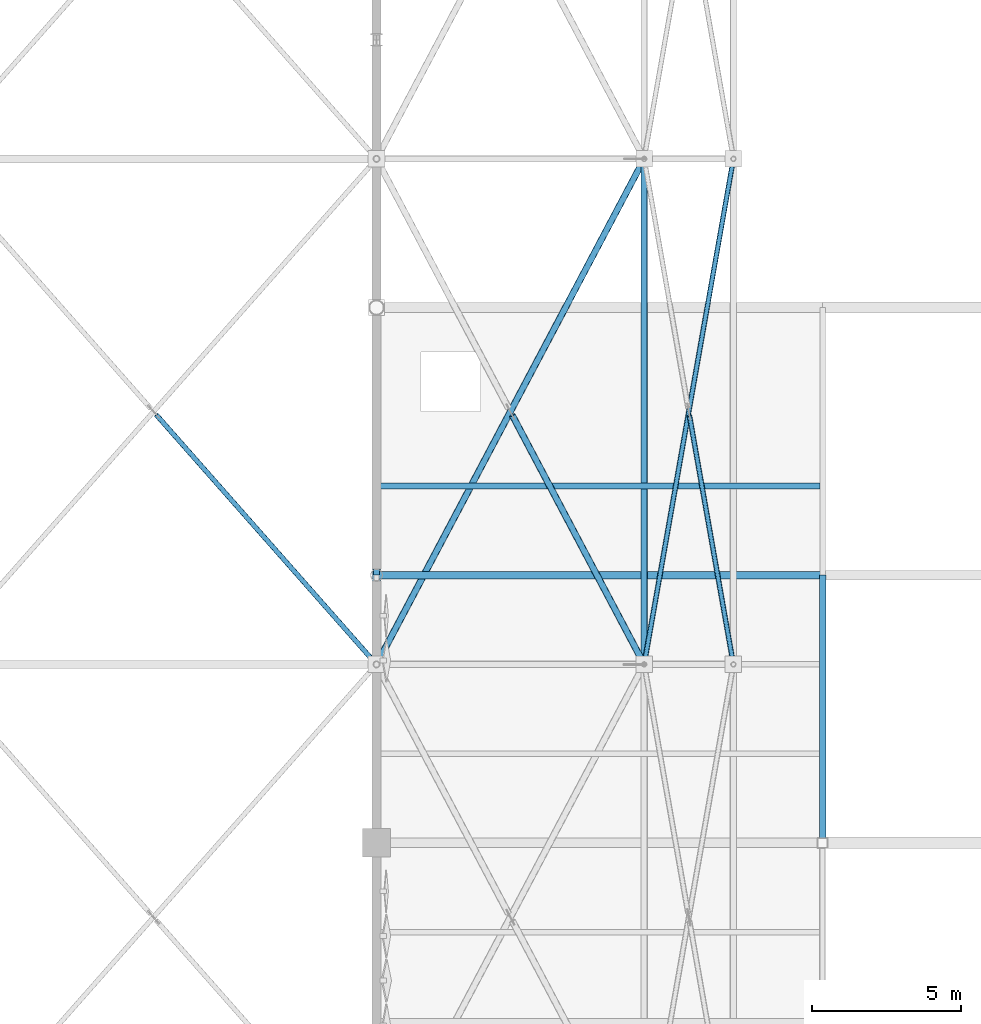
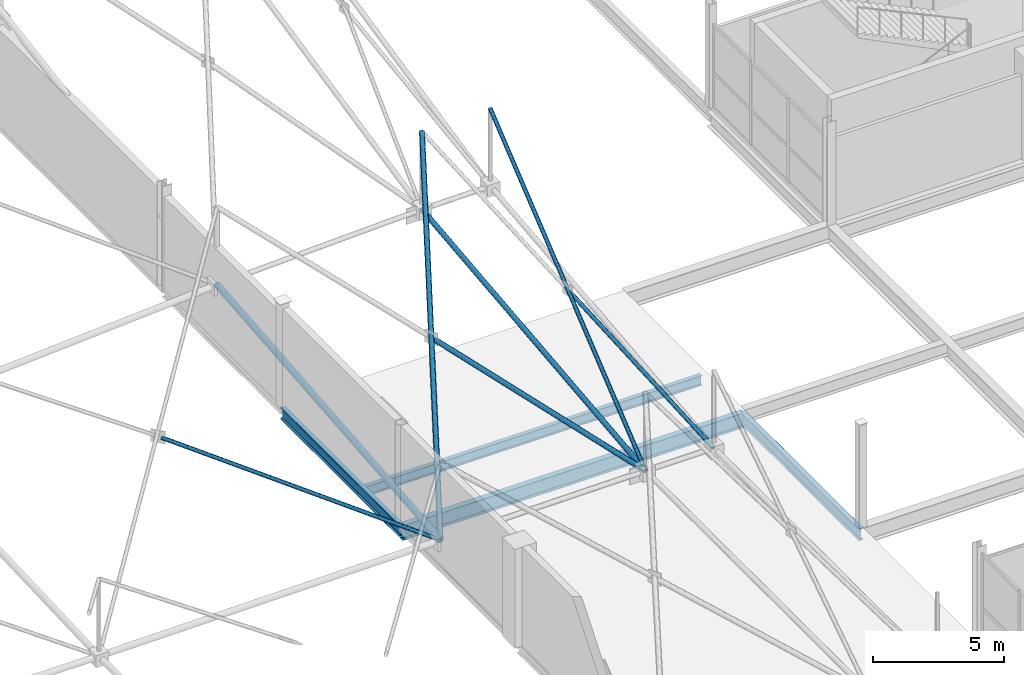
# One storey, part 143 of 224: 7 members, 4 beams.
"""IFC4 building model written with IfcOpenShell, lengths in metres."""

from ifc_helpers import new_model, si_unit, direction, frame, origin, origin_2d, place, context, subcontext, project, spatial, hollow_circle, i_section, extrude, material, material_profile, profile_set, type_object, element, save


model = new_model("IFC4")

# Units and contexts
model_context = context("Model", 3, precision=1e-05, world=origin(), true_north=direction((0.0, 1.0)))
body_context = subcontext(model_context, "Body", "Model", "MODEL_VIEW")
ifc_project = project(units=[si_unit("LENGTHUNIT", "METRE"), si_unit("AREAUNIT", "SQUARE_METRE"), si_unit("VOLUMEUNIT", "CUBIC_METRE"), si_unit("PLANEANGLEUNIT", "RADIAN"), si_unit("MASSUNIT", "GRAM", prefix="KILO")], contexts=[model_context])

# Site, building, storey
site_placement = place(None, origin())
site = spatial("IfcSite", under=ifc_project, at=site_placement, CompositionType="ELEMENT")
building_placement = place(site_placement, origin())
building = spatial("IfcBuilding", under=site, at=building_placement, Name="Qamarlyn Nura Convention Centre", CompositionType="ELEMENT")
storey_placement = place(building_placement, frame((0.0, 0.0, 10.800048828125)))
storey = spatial("IfcBuildingStorey", under=building, at=storey_placement, Name="L02", CompositionType="ELEMENT", Elevation=10.800048828125)

# Beams
ifc_material_1 = material(Name="Steel ASTM A992", Category="steel")
ifc_material_profile_1 = material_profile(ifc_material_1, i_section(OverallWidth=0.25390625, OverallDepth=0.68408203125, WebThickness=0.012451171875, FlangeThickness=0.01904296875, FilletRadius=0.01806640625, at=origin_2d()), Name="W690X140")
ifc_profile_set_1 = profile_set([ifc_material_profile_1], Name="Steel ASTM A992")
beam_type_1 = type_object("IfcBeamType", Name="BM-GIRD-690B", PredefinedType="BEAM", material=ifc_profile_set_1)
beam_1_placement = place(storey_placement, frame((120.0, 72.0, -0.487060546875), z_axis=(1.0, 0.0, 0.0), x_axis=(0.0, 1.0, 0.0)))
element("IfcBeam", 1, at=beam_1_placement, inside=storey, type_object=beam_type_1, Name="L02 girder J 9-11", PredefinedType="BEAM", context=body_context, shape_type="SweptSolid", body=[
    extrude(i_section(OverallWidth=0.25390625, OverallDepth=0.68408203125, WebThickness=0.012451171875, FlangeThickness=0.01904296875, FilletRadius=0.01806640625, at=origin_2d()), origin(), (0.0, 0.0, 1.0), 15.0),
])
ifc_material_profile_2 = material_profile(ifc_material_1, i_section(OverallWidth=0.18994140625, OverallDepth=0.45703125, WebThickness=0.009033203125, FlangeThickness=0.014404296875, FilletRadius=0.012939453125, at=origin_2d()), Name="W460X74")
ifc_profile_set_2 = profile_set([ifc_material_profile_2], Name="Steel ASTM A992")
beam_type_2 = type_object("IfcBeamType", Name="BM-JOIST-460", PredefinedType="JOIST", material=ifc_profile_set_2)
beam_2_placement = place(storey_placement, frame((120.10546875, 75.0, -0.448486328125), z_axis=(1.0, 0.0, 0.0), x_axis=(0.0, 1.0, 0.0)))
element("IfcBeam", 2, at=beam_2_placement, inside=storey, type_object=beam_type_2, Name="L02 composite joist 9-11/J+1", PredefinedType="JOIST", context=body_context, shape_type="SweptSolid", body=[
    extrude(i_section(OverallWidth=0.18994140625, OverallDepth=0.45703125, WebThickness=0.009033203125, FlangeThickness=0.014404296875, FilletRadius=0.012939453125, at=origin_2d()), origin(), (0.0, 0.0, 1.0), 14.798095703125),
])
ifc_material_profile_3 = material_profile(ifc_material_1, i_section(OverallWidth=0.2109375, OverallDepth=0.5390625, WebThickness=0.01171875, FlangeThickness=0.018798828125, FilletRadius=0.013916015625, at=origin_2d()), Name="W530X109")
ifc_profile_set_3 = profile_set([ifc_material_profile_3], Name="Steel ASTM A992")
beam_type_3 = type_object("IfcBeamType", Name="BM-SPAN-530", PredefinedType="SPANDREL", material=ifc_profile_set_3)
for number, where, z_axis, x_axis, name in (
    (3, (120.0, 72.0, -0.41455078125), (0.0, 1.0, 0.0), (-1.0, 0.0, 0.0), "L02 girder 9 J-K"),
    (4, (135.0, 63.0, -0.41455078125), (0.0, 1.0, 0.0), (-1.0, 0.0, 0.0), "L02 girder 11 H-J"),
):
    element("IfcBeam", number, at=place(storey_placement, frame(where, z_axis=z_axis, x_axis=x_axis)), inside=storey, type_object=beam_type_3, Name=name, PredefinedType="SPANDREL", context=body_context, shape_type="SweptSolid", body=[
        extrude(i_section(OverallWidth=0.2109375, OverallDepth=0.5390625, WebThickness=0.01171875, FlangeThickness=0.018798828125, FilletRadius=0.013916015625, at=origin_2d()), origin(), (0.0, 0.0, 1.0), 9.0),
    ])

# Members
ifc_material_2 = material(Name="Pearl-white PVDF steel ASTM A500 Grade C", Category="steel")
ifc_material_profile_4 = material_profile(ifc_material_2, hollow_circle(Radius=0.109619140625, WallThickness=0.010009765625, at=origin_2d()), Name="CHS219.1X10")
ifc_profile_set_4 = profile_set([ifc_material_profile_4], Name="Pearl-white PVDF steel ASTM A500 Grade C")
member_type_1 = type_object("IfcMemberType", Name="SF-BC-EAVE", PredefinedType="CHORD", material=ifc_profile_set_4)
member_1_placement = place(storey_placement, frame((129.0, 69.0, 1.005615234375), z_axis=(0.0, 0.994278213188, 0.106821508974), x_axis=(-1.0, 0.0, 0.0)))
element("IfcMember", 5, at=member_1_placement, inside=storey, type_object=member_type_1, Name="ROOF TRUSS space frame bottom chord Y11-5", PredefinedType="CHORD", context=body_context, shape_type="SweptSolid", body=[
    extrude(hollow_circle(Radius=0.109619140625, WallThickness=0.010009765625, at=origin_2d()), origin(), (0.0, 0.0, 1.0), 17.097900390625),
])
ifc_material_profile_5 = material_profile(ifc_material_2, hollow_circle(Radius=0.136474609375, WallThickness=0.012451171875, at=origin_2d()), Name="CHS273X12.5")
ifc_profile_set_5 = profile_set([ifc_material_profile_5], Name="Pearl-white PVDF steel ASTM A500 Grade C")
member_type_2 = type_object("IfcMemberType", Name="SF-BC-MAIN", PredefinedType="CHORD", material=ifc_profile_set_5)
member_2_placement = place(storey_placement, frame((120.0, 69.0, 0.937255859375), z_axis=(0.0, 0.995888281299, 0.090589906562), x_axis=(-1.0, 0.0, 0.0)))
element("IfcMember", 6, at=member_2_placement, inside=storey, type_object=member_type_2, Name="ROOF TRUSS space frame bottom chord Y10-5", PredefinedType="CHORD", context=body_context, shape_type="SweptSolid", body=[
    extrude(hollow_circle(Radius=0.136474609375, WallThickness=0.012451171875, at=origin_2d()), origin(), (0.0, 0.0, 1.0), 17.070068359375),
])
ifc_material_profile_6 = material_profile(ifc_material_2, hollow_circle(Radius=0.109619140625, WallThickness=0.010009765625, at=origin_2d()), Name="CHS219.1X10")
ifc_profile_set_6 = profile_set([ifc_material_profile_6], Name="Pearl-white PVDF steel ASTM A500 Grade C")
member_type_3 = type_object("IfcMemberType", Name="SF-WEB-HVY", PredefinedType="BRACE", material=ifc_profile_set_6)
member_3_placement = place(storey_placement, frame((120.0, 69.0, 0.937255859375), z_axis=(0.449891122764, 0.849794342998, 0.274677178278), x_axis=(-0.883787916347, 0.467887720419, 0.0)))
element("IfcMember", 7, at=member_3_placement, inside=storey, type_object=member_type_3, Name="ROOF TRUSS space frame diagonal A 10-5", PredefinedType="BRACE", context=body_context, shape_type="SweptSolid", body=[
    extrude(hollow_circle(Radius=0.109619140625, WallThickness=0.010009765625, at=origin_2d()), origin(), (0.0, 0.0, 1.0), 20.0048828125),
])
member_4_placement = place(storey_placement, frame((129.0, 69.0, 1.005615234375), z_axis=(-0.451564249031, 0.852935366325, 0.261898816089), x_axis=(-0.883783532399, -0.467896001116, 0.0)))
element("IfcMember", 8, at=member_4_placement, inside=storey, type_object=member_type_3, Name="ROOF TRUSS space frame split diagonal B1 10-5", PredefinedType="BRACE", context=body_context, shape_type="SweptSolid", body=[
    extrude(hollow_circle(Radius=0.109619140625, WallThickness=0.010009765625, at=origin_2d()), origin(), (0.0, 0.0, 1.0), 9.825439453125),
])
ifc_material_profile_7 = material_profile(ifc_material_2, hollow_circle(Radius=0.084228515625, WallThickness=0.008056640625, at=origin_2d()), Name="CHS168.3X8")
ifc_profile_set_7 = profile_set([ifc_material_profile_7], Name="Pearl-white PVDF steel ASTM A500 Grade C")
member_type_4 = type_object("IfcMemberType", Name="SF-WEB-STD", PredefinedType="BRACE", material=ifc_profile_set_7)
member_5_placement = place(storey_placement, frame((120.0, 69.0, 0.937255859375), z_axis=(-0.648512457235, 0.734975086225, 0.198099004138), x_axis=(-0.749835310382, -0.66162452139, 0.0)))
element("IfcMember", 9, at=member_5_placement, inside=storey, type_object=member_type_4, Name="ROOF TRUSS space frame split diagonal B1 9-5", PredefinedType="BRACE", context=body_context, shape_type="SweptSolid", body=[
    extrude(hollow_circle(Radius=0.084228515625, WallThickness=0.008056640625, at=origin_2d()), origin(), (0.0, 0.0, 1.0), 11.424560546875),
])
member_6_placement = place(storey_placement, frame((129.0, 69.0, 1.005615234375), z_axis=(0.165717213171, 0.939064207968, 0.301158128851), x_axis=(-0.984783558818, 0.173785333909, 0.0)))
element("IfcMember", 10, at=member_6_placement, inside=storey, type_object=member_type_4, Name="ROOF TRUSS space frame diagonal A 11-5", PredefinedType="BRACE", context=body_context, shape_type="SweptSolid", body=[
    extrude(hollow_circle(Radius=0.084228515625, WallThickness=0.008056640625, at=origin_2d()), origin(), (0.0, 0.0, 1.0), 18.10302734375),
])
member_7_placement = place(storey_placement, frame((132.0, 69.0, 1.0107421875), z_axis=(-0.16577584329, 0.939378174982, 0.300144988546), x_axis=(-0.984782980353, -0.173788611843, 0.0)))
element("IfcMember", 11, at=member_7_placement, inside=storey, type_object=member_type_4, Name="ROOF TRUSS space frame split diagonal B1 11-5", PredefinedType="BRACE", context=body_context, shape_type="SweptSolid", body=[
    extrude(hollow_circle(Radius=0.084228515625, WallThickness=0.008056640625, at=origin_2d()), origin(), (0.0, 0.0, 1.0), 8.908447265625),
])

save(model, "model.ifc")
